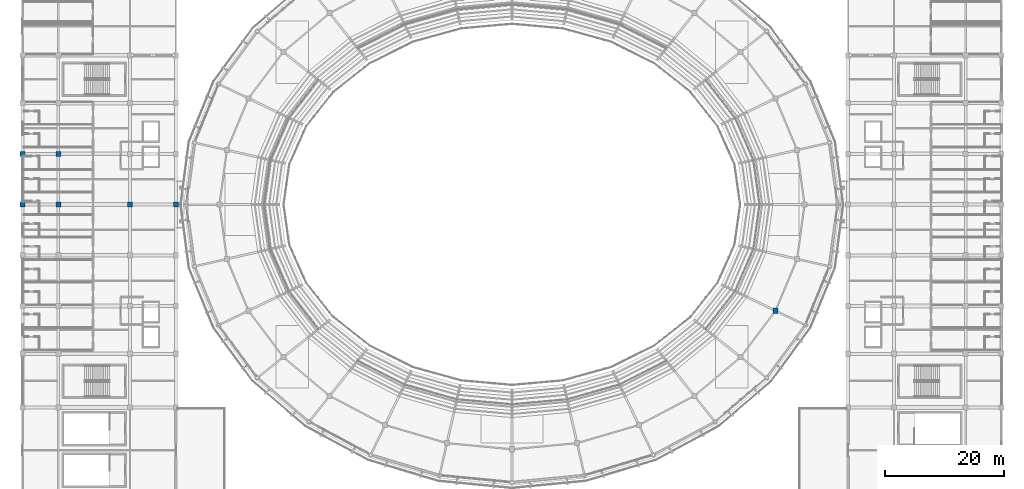
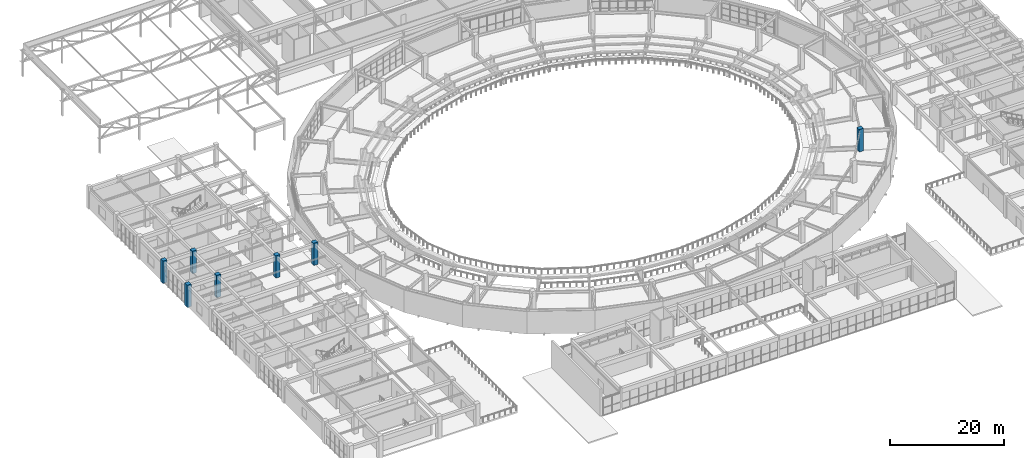
# One storey, part 6 of 122: 7 columns.
"""IFC4 building model written with IfcOpenShell, lengths in metres."""

from ifc_helpers import new_model, si_unit, direction, frame, origin, origin_2d, place, context, subcontext, project, spatial, rectangle, extrude, material, material_profile, profile_set, type_object, element, save


model = new_model("IFC4")

# Units and contexts
model_context = context("Model", 3, precision=1e-05, world=origin(), true_north=direction((0.0, 1.0)))
body_context = subcontext(model_context, "Body", "Model", "MODEL_VIEW")
ifc_project = project(units=[si_unit("LENGTHUNIT", "METRE"), si_unit("AREAUNIT", "SQUARE_METRE"), si_unit("VOLUMEUNIT", "CUBIC_METRE"), si_unit("PLANEANGLEUNIT", "RADIAN"), si_unit("MASSUNIT", "GRAM", prefix="KILO")], contexts=[model_context])

# Site, building, storey
site_placement = place(None, origin())
site = spatial("IfcSite", under=ifc_project, at=site_placement, CompositionType="ELEMENT")
building_placement = place(site_placement, origin())
building = spatial("IfcBuilding", under=site, at=building_placement, Name="Cuetzalor Civic Arena", CompositionType="ELEMENT")
storey_placement = place(building_placement, frame((0.0, 0.0, 16.199951171875)))
storey = spatial("IfcBuildingStorey", under=building, at=storey_placement, Name="L03", CompositionType="ELEMENT", Elevation=16.199951171875)

# Columns
ifc_material = material(Name="Concrete C40/50", Category="concrete")
ifc_material_profile = material_profile(ifc_material, rectangle(XDim=0.85009765625, YDim=0.85009765625, at=origin_2d()), Name="RC 850x850")
ifc_profile_set = profile_set([ifc_material_profile], Name="Concrete C40/50")
column_type = type_object("IfcColumnType", Name="ConcreteColumn_850", PredefinedType="COLUMN", material=ifc_profile_set)
for number, where, z_axis, x_axis, name in (
    (1, (44.1474609375, -17.789306640625, 0.0), (0.0, 0.0, 1.0), (1.0, 0.0, 0.0), "Column V1-REC-27 L03"),
    (2, (-82.0, 0.0, 0.0), (0.0, 0.0, 1.0), (1.0, 0.0, 0.0), "Column V4W-C-01-07 L03"),
    (3, (-82.0, 8.5, 0.0), (0.0, 0.0, 1.0), (1.0, 0.0, 0.0), "Column V4W-C-01-08 L03"),
    (4, (-76.0, 0.0, 0.0), (0.0, 0.0, 1.0), (1.0, 0.0, 0.0), "Column V4W-C-02-07 L03"),
    (5, (-76.0, 8.5, 0.0), (0.0, 0.0, 1.0), (1.0, 0.0, 0.0), "Column V4W-C-02-08 L03"),
    (6, (-64.0, 0.0, 0.0), (0.0, 0.0, 1.0), (1.0, 0.0, 0.0), "Column V4W-C-03-07 L03"),
    (7, (-56.300048828125, 0.0, 0.0), (0.0, 0.0, 1.0), (1.0, 0.0, 0.0), "Column V4W-C-04-07 L03"),
):
    element("IfcColumn", number, at=place(storey_placement, frame(where, z_axis=z_axis, x_axis=x_axis)), inside=storey, type_object=column_type, Name=name, PredefinedType="COLUMN", context=body_context, shape_type="SweptSolid", body=[
        extrude(rectangle(XDim=0.85009765625, YDim=0.85009765625, at=origin_2d()), origin(), (0.0, 0.0, 1.0), 4.800048828125),
    ])

save(model, "model.ifc")
